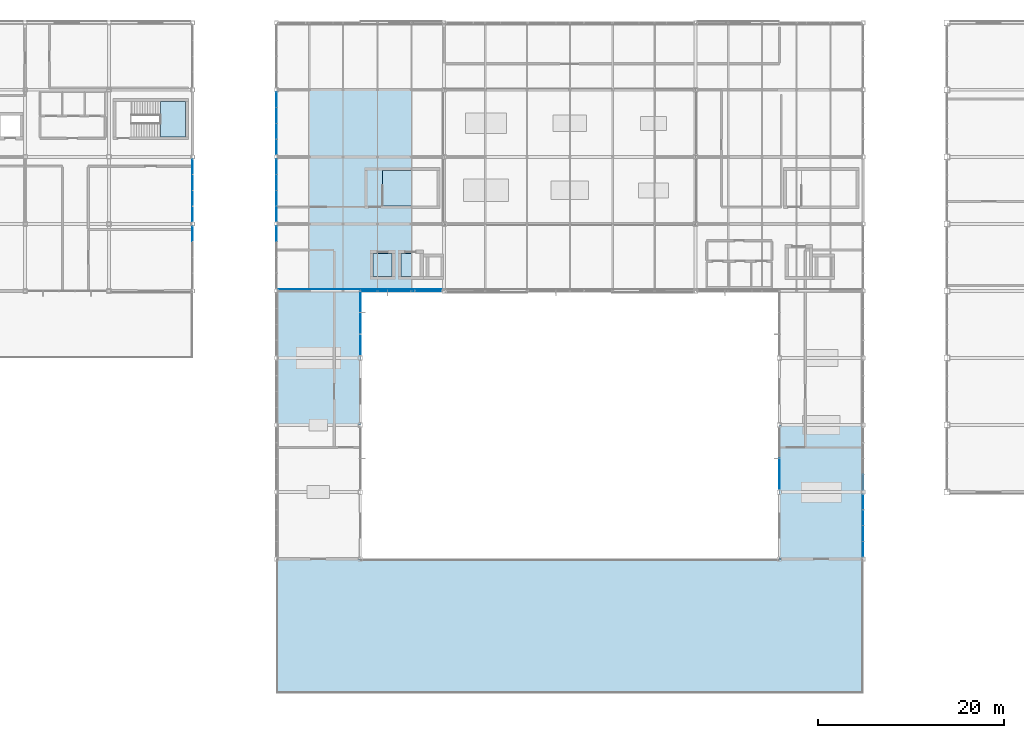
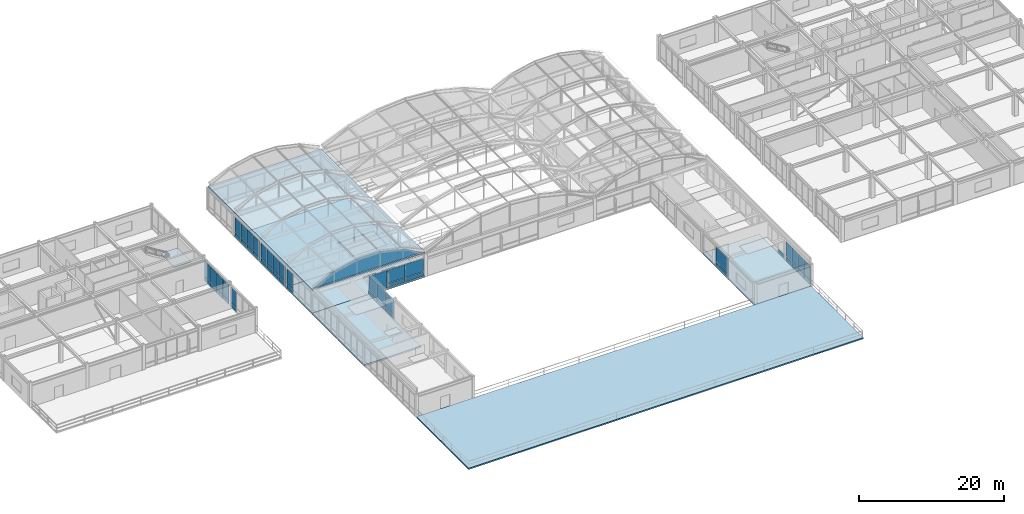
# One storey, part 78 of 106: 52 plates, 7 slabs, 11 elements without a shape of their own.
"""IFC4 building model written with IfcOpenShell, lengths in metres."""

from ifc_helpers import new_model, si_unit, direction, frame, origin, origin_2d, place, context, subcontext, project, spatial, polyline, rectangle, outline, extrude, material, layer, layer_set, type_object, element, aggregate, save


model = new_model("IFC4")

# Units and contexts
model_context = context("Model", 3, precision=1e-05, world=origin(), true_north=direction((0.0, 1.0)))
body_context = subcontext(model_context, "Body", "Model", "MODEL_VIEW")
ifc_project = project(units=[si_unit("LENGTHUNIT", "METRE"), si_unit("AREAUNIT", "SQUARE_METRE"), si_unit("VOLUMEUNIT", "CUBIC_METRE"), si_unit("PLANEANGLEUNIT", "RADIAN"), si_unit("MASSUNIT", "GRAM", prefix="KILO")], contexts=[model_context])

# Site, building, storey
site_placement = place(None, origin())
site = spatial("IfcSite", under=ifc_project, at=site_placement, CompositionType="ELEMENT")
building_placement = place(site_placement, origin())
building = spatial("IfcBuilding", under=site, at=building_placement, Name="Kazanami Central Library", CompositionType="ELEMENT")
storey_placement = place(building_placement, frame((0.0, 0.0, 12.800048828125)))
storey = spatial("IfcBuildingStorey", under=building, at=storey_placement, Name="L04", CompositionType="ELEMENT", Elevation=12.800048828125)

# Plate
ifc_material_1 = material(Name="Acid-Etched Low-E Laminated Glass", Category="glass")
ifc_layer_1 = layer(ifc_material_1, 0.028076171875, Name="Acid-Etched Low-E Laminated Glass")
ifc_layer_set_1 = layer_set([ifc_layer_1], Name="Acid-Etched Low-E Laminated Glass")
plate_type_1 = type_object("IfcPlateType", Name="PLT-BVG-28", PredefinedType="SHEET", material=ifc_layer_set_1)
plate_1_placement = place(storey_placement, frame((45.25, 64.9619140625, 4.0), z_axis=(0.0, -1.0, 0.0), x_axis=(1.0, 0.0, 0.0)))
element("IfcPlate", 1, at=plate_1_placement, inside=storey, type_object=plate_type_1, Name="Glazed Barrel Vault Gable Tympanum VAULT-WEST (South)", PredefinedType="SHEET", context=body_context, shape_type="SweptSolid", body=[
    extrude(outline(polyline([(0.0, 0.0), (17.5, 0.0), (14.172119140625, 1.65380859375), (10.58642578125, 2.449462890625), (6.91357421875, 2.449462890625), (3.327880859375, 1.65380859375), (0.0, 0.0)])), origin(), (0.0, 0.0, -1.0), 0.028076171875),
])

# Curtain wall, plates
curtain_wall_type_1 = type_object("IfcCurtainWallType", Name="CW-8775x3080-M275", PredefinedType="USERDEFINED", material=ifc_material_1)
curtain_wall_1_placement = place(storey_placement, origin())
curtain_wall_1 = element("IfcCurtainWall", 2, at=curtain_wall_1_placement, inside=storey, type_object=curtain_wall_type_1, Name="Unitised Curtain Wall CW-40 L04 S-K-06", ObjectType="UNITISED CURTAIN WALL", PredefinedType="USERDEFINED")
ifc_layer_2 = layer(ifc_material_1, 0.035888671875, Name="Acid-Etched Low-E Laminated Glass")
ifc_layer_set_2 = layer_set([ifc_layer_2], Name="Acid-Etched Low-E Laminated Glass")
plate_type_2 = type_object("IfcPlateType", Name="PLT-CW-P1", PredefinedType="CURTAIN_PANEL", material=ifc_layer_set_2)
plate_2_placement = place(storey_placement, frame((55.47998046875, 64.800048828125, 0.81494140625), z_axis=(0.0, 0.0, 1.0), x_axis=(1.0, 0.0, 0.0)))
plate_2 = element("IfcPlate", 3, at=plate_2_placement, type_object=plate_type_2, Name="CW-40 panel 1.2", PredefinedType="CURTAIN_PANEL", context=body_context, shape_type="SweptSolid", body=[
    extrude(rectangle(XDim=2.820068359375, YDim=0.035888671875, at=origin_2d()), origin(), (0.0, 0.0, 1.0), 2.195068359375),
])
plate_3_placement = place(storey_placement, frame((58.387451171875, 64.800048828125, 0.81494140625), z_axis=(0.0, 0.0, 1.0), x_axis=(1.0, 0.0, 0.0)))
plate_3 = element("IfcPlate", 4, at=plate_3_placement, type_object=plate_type_2, Name="CW-40 panel 2.2", PredefinedType="CURTAIN_PANEL", context=body_context, shape_type="SweptSolid", body=[
    extrude(rectangle(XDim=2.85498046875, YDim=0.035888671875, at=origin_2d()), origin(), (0.0, 0.0, 1.0), 2.195068359375),
])
plate_4_placement = place(storey_placement, frame((61.294921875, 64.800048828125, 0.81494140625), z_axis=(0.0, 0.0, 1.0), x_axis=(1.0, 0.0, 0.0)))
plate_4 = element("IfcPlate", 5, at=plate_4_placement, type_object=plate_type_2, Name="CW-40 panel 3.2", PredefinedType="CURTAIN_PANEL", context=body_context, shape_type="SweptSolid", body=[
    extrude(rectangle(XDim=2.820068359375, YDim=0.035888671875, at=origin_2d()), origin(), (0.0, 0.0, 1.0), 2.195068359375),
])

curtain_wall_type_2 = type_object("IfcCurtainWallType", Name="CW-6975x3330-M275", PredefinedType="USERDEFINED", material=ifc_material_1)
curtain_wall_2_placement = place(storey_placement, origin())
curtain_wall_2 = element("IfcCurtainWall", 6, at=curtain_wall_2_placement, inside=storey, type_object=curtain_wall_type_2, Name="Unitised Curtain Wall CW-46 L04 E-7-08", ObjectType="UNITISED CURTAIN WALL", PredefinedType="USERDEFINED")
plate_5_placement = place(storey_placement, frame((54.0, 63.6201171875, 0.81494140625), z_axis=(0.0, 0.0, 1.0), x_axis=(0.0, -1.0, 0.0)))
plate_5 = element("IfcPlate", 7, at=plate_5_placement, type_object=plate_type_2, Name="CW-46 panel 1.2", PredefinedType="CURTAIN_PANEL", context=body_context, shape_type="SweptSolid", body=[
    extrude(rectangle(XDim=2.219970703125, YDim=0.035888671875, at=origin_2d()), origin(), (0.0, 0.0, 1.0), 2.445068359375),
])
plate_6_placement = place(storey_placement, frame((54.0, 61.3125, 0.81494140625), z_axis=(0.0, 0.0, 1.0), x_axis=(0.0, -1.0, 0.0)))
plate_6 = element("IfcPlate", 8, at=plate_6_placement, type_object=plate_type_2, Name="CW-46 panel 2.2", PredefinedType="CURTAIN_PANEL", context=body_context, shape_type="SweptSolid", body=[
    extrude(rectangle(XDim=2.2548828125, YDim=0.035888671875, at=origin_2d()), origin(), (0.0, 0.0, 1.0), 2.445068359375),
])
plate_7_placement = place(storey_placement, frame((54.0, 59.0048828125, 0.81494140625), z_axis=(0.0, 0.0, 1.0), x_axis=(0.0, -1.0, 0.0)))
plate_7 = element("IfcPlate", 9, at=plate_7_placement, type_object=plate_type_2, Name="CW-46 panel 3.2", PredefinedType="CURTAIN_PANEL", context=body_context, shape_type="SweptSolid", body=[
    extrude(rectangle(XDim=2.219970703125, YDim=0.035888671875, at=origin_2d()), origin(), (0.0, 0.0, 1.0), 2.445068359375),
])

# Curtain wall, plate
curtain_wall_type_3 = type_object("IfcCurtainWallType", Name="CW-6750x3330-M275", PredefinedType="USERDEFINED", material=ifc_material_1)
curtain_wall_3_placement = place(storey_placement, origin())
curtain_wall_3 = element("IfcCurtainWall", 10, at=curtain_wall_3_placement, inside=storey, type_object=curtain_wall_type_3, Name="Unitised Curtain Wall CW-45 L04 W-12-06", ObjectType="UNITISED CURTAIN WALL", PredefinedType="USERDEFINED")
plate_8_placement = place(storey_placement, frame((99.0, 45.1298828125, 0.81494140625), z_axis=(0.0, 0.0, 1.0), x_axis=(0.0, 1.0, 0.0)))
plate_8 = element("IfcPlate", 11, at=plate_8_placement, type_object=plate_type_2, Name="CW-45 panel 1.2", PredefinedType="CURTAIN_PANEL", context=body_context, shape_type="SweptSolid", body=[
    extrude(rectangle(XDim=3.27001953125, YDim=0.035888671875, at=origin_2d()), origin(), (0.0, 0.0, 1.0), 2.445068359375),
])

curtain_wall_type_4 = type_object("IfcCurtainWallType", Name="CW-6800x3490-M180", PredefinedType="USERDEFINED", material=ifc_material_1)
curtain_wall_4_placement = place(storey_placement, origin())
curtain_wall_4 = element("IfcCurtainWall", 12, at=curtain_wall_4_placement, inside=storey, type_object=curtain_wall_type_4, Name="Covered Link Bridge Curtain Wall CW-43 L04 E-5-09", ObjectType="UNITISED CURTAIN WALL", PredefinedType="USERDEFINED")
ifc_material_2 = material(Name="Low-E Insulated Triple Glass", Category="glass")
ifc_layer_3 = layer(ifc_material_2, 0.0400390625, Name="Low-E Insulated Triple Glass")
ifc_layer_set_3 = layer_set([ifc_layer_3], Name="Low-E Insulated Triple Glass")
plate_type_3 = type_object("IfcPlateType", Name="PLT-CW-P3", PredefinedType="CURTAIN_PANEL", material=ifc_layer_set_3)
plate_9_placement = place(storey_placement, frame((36.0, 70.93505859375, 0.809814453125), z_axis=(0.0, 0.0, 1.0), x_axis=(0.0, -1.0, 0.0)))
plate_9 = element("IfcPlate", 13, at=plate_9_placement, type_object=plate_type_3, Name="CW-43 panel 1.2", PredefinedType="CURTAIN_PANEL", context=body_context, shape_type="SweptSolid", body=[
    extrude(rectangle(XDim=1.610107421875, YDim=0.0400390625, at=origin_2d()), origin(), (0.0, 0.0, 1.0), 2.6201171875),
])

# Curtain wall, plates
curtain_wall_5_placement = place(storey_placement, origin())
curtain_wall_5 = element("IfcCurtainWall", 14, at=curtain_wall_5_placement, inside=storey, type_object=curtain_wall_type_4, Name="Covered Link Bridge Curtain Wall CW-43 L04 E-5-10", ObjectType="UNITISED CURTAIN WALL", PredefinedType="USERDEFINED")
plate_10_placement = place(storey_placement, frame((36.0, 78.135009765625, 0.809814453125), z_axis=(0.0, 0.0, 1.0), x_axis=(0.0, -1.0, 0.0)))
plate_10 = element("IfcPlate", 15, at=plate_10_placement, type_object=plate_type_3, Name="CW-43 panel 1.2", PredefinedType="CURTAIN_PANEL", context=body_context, shape_type="SweptSolid", body=[
    extrude(rectangle(XDim=1.610107421875, YDim=0.0400390625, at=origin_2d()), origin(), (0.0, 0.0, 1.0), 2.6201171875),
])
plate_11_placement = place(storey_placement, frame((36.0, 76.449951171875, 0.809814453125), z_axis=(0.0, 0.0, 1.0), x_axis=(0.0, -1.0, 0.0)))
plate_11 = element("IfcPlate", 16, at=plate_11_placement, type_object=plate_type_3, Name="CW-43 panel 2.2", PredefinedType="CURTAIN_PANEL", context=body_context, shape_type="SweptSolid", body=[
    extrude(rectangle(XDim=1.639892578125, YDim=0.0400390625, at=origin_2d()), origin(), (0.0, 0.0, 1.0), 2.6201171875),
])
plate_12_placement = place(storey_placement, frame((36.0, 74.75, 0.809814453125), z_axis=(0.0, 0.0, 1.0), x_axis=(0.0, -1.0, 0.0)))
plate_12 = element("IfcPlate", 17, at=plate_12_placement, type_object=plate_type_3, Name="CW-43 panel 3.2", PredefinedType="CURTAIN_PANEL", context=body_context, shape_type="SweptSolid", body=[
    extrude(rectangle(XDim=1.639892578125, YDim=0.0400390625, at=origin_2d()), origin(), (0.0, 0.0, 1.0), 2.6201171875),
])
plate_13_placement = place(storey_placement, frame((36.0, 73.06494140625, 0.809814453125), z_axis=(0.0, 0.0, 1.0), x_axis=(0.0, -1.0, 0.0)))
plate_13 = element("IfcPlate", 18, at=plate_13_placement, type_object=plate_type_3, Name="CW-43 panel 4.2", PredefinedType="CURTAIN_PANEL", context=body_context, shape_type="SweptSolid", body=[
    extrude(rectangle(XDim=1.610107421875, YDim=0.0400390625, at=origin_2d()), origin(), (0.0, 0.0, 1.0), 2.6201171875),
])

# Curtain wall, plate
curtain_wall_type_5 = type_object("IfcCurtainWallType", Name="CW-6800x3330-M180", PredefinedType="USERDEFINED", material=ifc_material_1)
curtain_wall_6_placement = place(storey_placement, origin())
curtain_wall_6 = element("IfcCurtainWall", 19, at=curtain_wall_6_placement, inside=storey, type_object=curtain_wall_type_5, Name="Covered Link Bridge Curtain Wall CW-44 L04 W-6-09", ObjectType="UNITISED CURTAIN WALL", PredefinedType="USERDEFINED")
plate_14_placement = place(storey_placement, frame((45.0, 70.9326171875, 0.81494140625), z_axis=(0.0, 0.0, 1.0), x_axis=(0.0, 1.0, 0.0)))
plate_14 = element("IfcPlate", 20, at=plate_14_placement, type_object=plate_type_3, Name="CW-44 panel 4.2", PredefinedType="CURTAIN_PANEL", context=body_context, shape_type="SweptSolid", body=[
    extrude(rectangle(XDim=1.594970703125, YDim=0.0400390625, at=origin_2d()), origin(), (0.0, 0.0, 1.0), 2.445068359375),
])

# Curtain wall, plates
curtain_wall_7_placement = place(storey_placement, origin())
curtain_wall_7 = element("IfcCurtainWall", 21, at=curtain_wall_7_placement, inside=storey, type_object=curtain_wall_type_5, Name="Covered Link Bridge Curtain Wall CW-44 L04 W-6-10", ObjectType="UNITISED CURTAIN WALL", PredefinedType="USERDEFINED")
plate_15_placement = place(storey_placement, frame((45.0, 73.0673828125, 0.81494140625), z_axis=(0.0, 0.0, 1.0), x_axis=(0.0, 1.0, 0.0)))
plate_15 = element("IfcPlate", 22, at=plate_15_placement, type_object=plate_type_3, Name="CW-44 panel 1.2", PredefinedType="CURTAIN_PANEL", context=body_context, shape_type="SweptSolid", body=[
    extrude(rectangle(XDim=1.594970703125, YDim=0.0400390625, at=origin_2d()), origin(), (0.0, 0.0, 1.0), 2.445068359375),
])
plate_16_placement = place(storey_placement, frame((45.0, 74.75, 0.81494140625), z_axis=(0.0, 0.0, 1.0), x_axis=(0.0, 1.0, 0.0)))
plate_16 = element("IfcPlate", 23, at=plate_16_placement, type_object=plate_type_3, Name="CW-44 panel 2.2", PredefinedType="CURTAIN_PANEL", context=body_context, shape_type="SweptSolid", body=[
    extrude(rectangle(XDim=1.6298828125, YDim=0.0400390625, at=origin_2d()), origin(), (0.0, 0.0, 1.0), 2.445068359375),
])
plate_17_placement = place(storey_placement, frame((45.0, 76.449951171875, 0.81494140625), z_axis=(0.0, 0.0, 1.0), x_axis=(0.0, 1.0, 0.0)))
plate_17 = element("IfcPlate", 24, at=plate_17_placement, type_object=plate_type_3, Name="CW-44 panel 3.2", PredefinedType="CURTAIN_PANEL", context=body_context, shape_type="SweptSolid", body=[
    extrude(rectangle(XDim=1.6298828125, YDim=0.0400390625, at=origin_2d()), origin(), (0.0, 0.0, 1.0), 2.445068359375),
])
plate_18_placement = place(storey_placement, frame((45.0, 78.132568359375, 0.81494140625), z_axis=(0.0, 0.0, 1.0), x_axis=(0.0, 1.0, 0.0)))
plate_18 = element("IfcPlate", 25, at=plate_18_placement, type_object=plate_type_3, Name="CW-44 panel 4.2", PredefinedType="CURTAIN_PANEL", context=body_context, shape_type="SweptSolid", body=[
    extrude(rectangle(XDim=1.594970703125, YDim=0.0400390625, at=origin_2d()), origin(), (0.0, 0.0, 1.0), 2.445068359375),
])

curtain_wall_8_placement = place(storey_placement, origin())
curtain_wall_8 = element("IfcCurtainWall", 26, at=curtain_wall_8_placement, inside=storey, type_object=curtain_wall_type_5, Name="Covered Link Bridge Curtain Wall CW-44 L04 W-6-11", ObjectType="UNITISED CURTAIN WALL", PredefinedType="USERDEFINED")
plate_19_placement = place(storey_placement, frame((45.0, 80.267578125, 0.81494140625), z_axis=(0.0, 0.0, 1.0), x_axis=(0.0, 1.0, 0.0)))
plate_19 = element("IfcPlate", 27, at=plate_19_placement, type_object=plate_type_3, Name="CW-44 panel 1.2", PredefinedType="CURTAIN_PANEL", context=body_context, shape_type="SweptSolid", body=[
    extrude(rectangle(XDim=1.594970703125, YDim=0.0400390625, at=origin_2d()), origin(), (0.0, 0.0, 1.0), 2.445068359375),
])
plate_20_placement = place(storey_placement, frame((45.0, 81.949951171875, 0.81494140625), z_axis=(0.0, 0.0, 1.0), x_axis=(0.0, 1.0, 0.0)))
plate_20 = element("IfcPlate", 28, at=plate_20_placement, type_object=plate_type_3, Name="CW-44 panel 2.2", PredefinedType="CURTAIN_PANEL", context=body_context, shape_type="SweptSolid", body=[
    extrude(rectangle(XDim=1.6298828125, YDim=0.0400390625, at=origin_2d()), origin(), (0.0, 0.0, 1.0), 2.445068359375),
])
plate_21_placement = place(storey_placement, frame((45.0, 83.64990234375, 0.81494140625), z_axis=(0.0, 0.0, 1.0), x_axis=(0.0, 1.0, 0.0)))
plate_21 = element("IfcPlate", 29, at=plate_21_placement, type_object=plate_type_3, Name="CW-44 panel 3.2", PredefinedType="CURTAIN_PANEL", context=body_context, shape_type="SweptSolid", body=[
    extrude(rectangle(XDim=1.6298828125, YDim=0.0400390625, at=origin_2d()), origin(), (0.0, 0.0, 1.0), 2.445068359375),
])
plate_22_placement = place(storey_placement, frame((45.0, 85.33251953125, 0.81494140625), z_axis=(0.0, 0.0, 1.0), x_axis=(0.0, 1.0, 0.0)))
plate_22 = element("IfcPlate", 30, at=plate_22_placement, type_object=plate_type_3, Name="CW-44 panel 4.2", PredefinedType="CURTAIN_PANEL", context=body_context, shape_type="SweptSolid", body=[
    extrude(rectangle(XDim=1.594970703125, YDim=0.0400390625, at=origin_2d()), origin(), (0.0, 0.0, 1.0), 2.445068359375),
])

curtain_wall_9_placement = place(storey_placement, origin())
curtain_wall_9 = element("IfcCurtainWall", 31, at=curtain_wall_9_placement, inside=storey, type_object=curtain_wall_type_5, Name="Covered Link Bridge Curtain Wall CW-44 L04 E-13-05", ObjectType="UNITISED CURTAIN WALL", PredefinedType="USERDEFINED")
plate_23_placement = place(storey_placement, frame((108.0, 42.132568359375, 0.81494140625), z_axis=(0.0, 0.0, 1.0), x_axis=(0.0, -1.0, 0.0)))
plate_23 = element("IfcPlate", 32, at=plate_23_placement, type_object=plate_type_3, Name="CW-44 panel 1.2", PredefinedType="CURTAIN_PANEL", context=body_context, shape_type="SweptSolid", body=[
    extrude(rectangle(XDim=1.594970703125, YDim=0.0400390625, at=origin_2d()), origin(), (0.0, 0.0, 1.0), 2.445068359375),
])
plate_24_placement = place(storey_placement, frame((108.0, 40.449951171875, 0.81494140625), z_axis=(0.0, 0.0, 1.0), x_axis=(0.0, -1.0, 0.0)))
plate_24 = element("IfcPlate", 33, at=plate_24_placement, type_object=plate_type_3, Name="CW-44 panel 2.2", PredefinedType="CURTAIN_PANEL", context=body_context, shape_type="SweptSolid", body=[
    extrude(rectangle(XDim=1.6298828125, YDim=0.0400390625, at=origin_2d()), origin(), (0.0, 0.0, 1.0), 2.445068359375),
])
plate_25_placement = place(storey_placement, frame((108.0, 38.75, 0.81494140625), z_axis=(0.0, 0.0, 1.0), x_axis=(0.0, -1.0, 0.0)))
plate_25 = element("IfcPlate", 34, at=plate_25_placement, type_object=plate_type_3, Name="CW-44 panel 3.2", PredefinedType="CURTAIN_PANEL", context=body_context, shape_type="SweptSolid", body=[
    extrude(rectangle(XDim=1.6298828125, YDim=0.0400390625, at=origin_2d()), origin(), (0.0, 0.0, 1.0), 2.445068359375),
])
plate_26_placement = place(storey_placement, frame((108.0, 37.0673828125, 0.81494140625), z_axis=(0.0, 0.0, 1.0), x_axis=(0.0, -1.0, 0.0)))
plate_26 = element("IfcPlate", 35, at=plate_26_placement, type_object=plate_type_3, Name="CW-44 panel 4.2", PredefinedType="CURTAIN_PANEL", context=body_context, shape_type="SweptSolid", body=[
    extrude(rectangle(XDim=1.594970703125, YDim=0.0400390625, at=origin_2d()), origin(), (0.0, 0.0, 1.0), 2.445068359375),
])

# Plate
ifc_material_3 = material(Name="Anodised Aluminium A5052-H32", Category="aluminium")
ifc_layer_4 = layer(ifc_material_3, 0.06005859375, Name="Anodised Aluminium A5052-H32")
ifc_layer_set_4 = layer_set([ifc_layer_4], Name="Anodised Aluminium A5052-H32")
plate_type_4 = type_object("IfcPlateType", Name="PLT-CW-SP1", PredefinedType="CURTAIN_PANEL", material=ifc_layer_set_4)
plate_27_placement = place(storey_placement, frame((55.47998046875, 64.800048828125, 0.06982421875), z_axis=(0.0, 0.0, 1.0), x_axis=(1.0, 0.0, 0.0)))
plate_27 = element("IfcPlate", 36, at=plate_27_placement, type_object=plate_type_4, Name="CW-40 panel 1.1", PredefinedType="CURTAIN_PANEL", context=body_context, shape_type="SweptSolid", body=[
    extrude(rectangle(XDim=2.820068359375, YDim=0.06005859375, at=origin_2d()), origin(), (0.0, 0.0, 1.0), 0.675048828125),
])

plate_28_placement = place(storey_placement, frame((58.387451171875, 64.800048828125, 0.06982421875), z_axis=(0.0, 0.0, 1.0), x_axis=(1.0, 0.0, 0.0)))
plate_28 = element("IfcPlate", 37, at=plate_28_placement, type_object=plate_type_4, Name="CW-40 panel 2.1", PredefinedType="CURTAIN_PANEL", context=body_context, shape_type="SweptSolid", body=[
    extrude(rectangle(XDim=2.85498046875, YDim=0.06005859375, at=origin_2d()), origin(), (0.0, 0.0, 1.0), 0.675048828125),
])

plate_29_placement = place(storey_placement, frame((61.294921875, 64.800048828125, 0.06982421875), z_axis=(0.0, 0.0, 1.0), x_axis=(1.0, 0.0, 0.0)))
plate_29 = element("IfcPlate", 38, at=plate_29_placement, type_object=plate_type_4, Name="CW-40 panel 3.1", PredefinedType="CURTAIN_PANEL", context=body_context, shape_type="SweptSolid", body=[
    extrude(rectangle(XDim=2.820068359375, YDim=0.06005859375, at=origin_2d()), origin(), (0.0, 0.0, 1.0), 0.675048828125),
])

aggregate(curtain_wall_1, [plate_27, plate_2, plate_28, plate_3, plate_29, plate_4])

plate_30_placement = place(storey_placement, frame((45.0, 70.9326171875, 0.06982421875), z_axis=(0.0, 0.0, 1.0), x_axis=(0.0, 1.0, 0.0)))
plate_30 = element("IfcPlate", 39, at=plate_30_placement, type_object=plate_type_4, Name="CW-44 panel 4.1", PredefinedType="CURTAIN_PANEL", context=body_context, shape_type="SweptSolid", body=[
    extrude(rectangle(XDim=1.594970703125, YDim=0.06005859375, at=origin_2d()), origin(), (0.0, 0.0, 1.0), 0.675048828125),
])

aggregate(curtain_wall_6, [plate_30, plate_14])

plate_31_placement = place(storey_placement, frame((45.0, 73.0673828125, 0.06982421875), z_axis=(0.0, 0.0, 1.0), x_axis=(0.0, 1.0, 0.0)))
plate_31 = element("IfcPlate", 40, at=plate_31_placement, type_object=plate_type_4, Name="CW-44 panel 1.1", PredefinedType="CURTAIN_PANEL", context=body_context, shape_type="SweptSolid", body=[
    extrude(rectangle(XDim=1.594970703125, YDim=0.06005859375, at=origin_2d()), origin(), (0.0, 0.0, 1.0), 0.675048828125),
])

plate_32_placement = place(storey_placement, frame((45.0, 74.75, 0.06982421875), z_axis=(0.0, 0.0, 1.0), x_axis=(0.0, 1.0, 0.0)))
plate_32 = element("IfcPlate", 41, at=plate_32_placement, type_object=plate_type_4, Name="CW-44 panel 2.1", PredefinedType="CURTAIN_PANEL", context=body_context, shape_type="SweptSolid", body=[
    extrude(rectangle(XDim=1.6298828125, YDim=0.06005859375, at=origin_2d()), origin(), (0.0, 0.0, 1.0), 0.675048828125),
])

plate_33_placement = place(storey_placement, frame((45.0, 76.449951171875, 0.06982421875), z_axis=(0.0, 0.0, 1.0), x_axis=(0.0, 1.0, 0.0)))
plate_33 = element("IfcPlate", 42, at=plate_33_placement, type_object=plate_type_4, Name="CW-44 panel 3.1", PredefinedType="CURTAIN_PANEL", context=body_context, shape_type="SweptSolid", body=[
    extrude(rectangle(XDim=1.6298828125, YDim=0.06005859375, at=origin_2d()), origin(), (0.0, 0.0, 1.0), 0.675048828125),
])

plate_34_placement = place(storey_placement, frame((45.0, 78.132568359375, 0.06982421875), z_axis=(0.0, 0.0, 1.0), x_axis=(0.0, 1.0, 0.0)))
plate_34 = element("IfcPlate", 43, at=plate_34_placement, type_object=plate_type_4, Name="CW-44 panel 4.1", PredefinedType="CURTAIN_PANEL", context=body_context, shape_type="SweptSolid", body=[
    extrude(rectangle(XDim=1.594970703125, YDim=0.06005859375, at=origin_2d()), origin(), (0.0, 0.0, 1.0), 0.675048828125),
])

aggregate(curtain_wall_7, [plate_31, plate_15, plate_32, plate_16, plate_33, plate_17, plate_34, plate_18])

plate_35_placement = place(storey_placement, frame((45.0, 80.267578125, 0.06982421875), z_axis=(0.0, 0.0, 1.0), x_axis=(0.0, 1.0, 0.0)))
plate_35 = element("IfcPlate", 44, at=plate_35_placement, type_object=plate_type_4, Name="CW-44 panel 1.1", PredefinedType="CURTAIN_PANEL", context=body_context, shape_type="SweptSolid", body=[
    extrude(rectangle(XDim=1.594970703125, YDim=0.06005859375, at=origin_2d()), origin(), (0.0, 0.0, 1.0), 0.675048828125),
])

plate_36_placement = place(storey_placement, frame((45.0, 81.949951171875, 0.06982421875), z_axis=(0.0, 0.0, 1.0), x_axis=(0.0, 1.0, 0.0)))
plate_36 = element("IfcPlate", 45, at=plate_36_placement, type_object=plate_type_4, Name="CW-44 panel 2.1", PredefinedType="CURTAIN_PANEL", context=body_context, shape_type="SweptSolid", body=[
    extrude(rectangle(XDim=1.6298828125, YDim=0.06005859375, at=origin_2d()), origin(), (0.0, 0.0, 1.0), 0.675048828125),
])

plate_37_placement = place(storey_placement, frame((45.0, 83.64990234375, 0.06982421875), z_axis=(0.0, 0.0, 1.0), x_axis=(0.0, 1.0, 0.0)))
plate_37 = element("IfcPlate", 46, at=plate_37_placement, type_object=plate_type_4, Name="CW-44 panel 3.1", PredefinedType="CURTAIN_PANEL", context=body_context, shape_type="SweptSolid", body=[
    extrude(rectangle(XDim=1.6298828125, YDim=0.06005859375, at=origin_2d()), origin(), (0.0, 0.0, 1.0), 0.675048828125),
])

plate_38_placement = place(storey_placement, frame((45.0, 85.33251953125, 0.06982421875), z_axis=(0.0, 0.0, 1.0), x_axis=(0.0, 1.0, 0.0)))
plate_38 = element("IfcPlate", 47, at=plate_38_placement, type_object=plate_type_4, Name="CW-44 panel 4.1", PredefinedType="CURTAIN_PANEL", context=body_context, shape_type="SweptSolid", body=[
    extrude(rectangle(XDim=1.594970703125, YDim=0.06005859375, at=origin_2d()), origin(), (0.0, 0.0, 1.0), 0.675048828125),
])

aggregate(curtain_wall_8, [plate_35, plate_19, plate_36, plate_20, plate_37, plate_21, plate_38, plate_22])

plate_39_placement = place(storey_placement, frame((54.0, 63.6201171875, 0.06982421875), z_axis=(0.0, 0.0, 1.0), x_axis=(0.0, -1.0, 0.0)))
plate_39 = element("IfcPlate", 48, at=plate_39_placement, type_object=plate_type_4, Name="CW-46 panel 1.1", PredefinedType="CURTAIN_PANEL", context=body_context, shape_type="SweptSolid", body=[
    extrude(rectangle(XDim=2.219970703125, YDim=0.06005859375, at=origin_2d()), origin(), (0.0, 0.0, 1.0), 0.675048828125),
])

plate_40_placement = place(storey_placement, frame((54.0, 61.3125, 0.06982421875), z_axis=(0.0, 0.0, 1.0), x_axis=(0.0, -1.0, 0.0)))
plate_40 = element("IfcPlate", 49, at=plate_40_placement, type_object=plate_type_4, Name="CW-46 panel 2.1", PredefinedType="CURTAIN_PANEL", context=body_context, shape_type="SweptSolid", body=[
    extrude(rectangle(XDim=2.2548828125, YDim=0.06005859375, at=origin_2d()), origin(), (0.0, 0.0, 1.0), 0.675048828125),
])

plate_41_placement = place(storey_placement, frame((54.0, 59.0048828125, 0.06982421875), z_axis=(0.0, 0.0, 1.0), x_axis=(0.0, -1.0, 0.0)))
plate_41 = element("IfcPlate", 50, at=plate_41_placement, type_object=plate_type_4, Name="CW-46 panel 3.1", PredefinedType="CURTAIN_PANEL", context=body_context, shape_type="SweptSolid", body=[
    extrude(rectangle(XDim=2.219970703125, YDim=0.06005859375, at=origin_2d()), origin(), (0.0, 0.0, 1.0), 0.675048828125),
])

aggregate(curtain_wall_2, [plate_39, plate_5, plate_40, plate_6, plate_41, plate_7])

plate_42_placement = place(storey_placement, frame((99.0, 45.1298828125, 0.06982421875), z_axis=(0.0, 0.0, 1.0), x_axis=(0.0, 1.0, 0.0)))
plate_42 = element("IfcPlate", 51, at=plate_42_placement, type_object=plate_type_4, Name="CW-45 panel 1.1", PredefinedType="CURTAIN_PANEL", context=body_context, shape_type="SweptSolid", body=[
    extrude(rectangle(XDim=3.27001953125, YDim=0.06005859375, at=origin_2d()), origin(), (0.0, 0.0, 1.0), 0.675048828125),
])

aggregate(curtain_wall_3, [plate_42, plate_8])

plate_43_placement = place(storey_placement, frame((108.0, 42.132568359375, 0.06982421875), z_axis=(0.0, 0.0, 1.0), x_axis=(0.0, -1.0, 0.0)))
plate_43 = element("IfcPlate", 52, at=plate_43_placement, type_object=plate_type_4, Name="CW-44 panel 1.1", PredefinedType="CURTAIN_PANEL", context=body_context, shape_type="SweptSolid", body=[
    extrude(rectangle(XDim=1.594970703125, YDim=0.06005859375, at=origin_2d()), origin(), (0.0, 0.0, 1.0), 0.675048828125),
])

plate_44_placement = place(storey_placement, frame((108.0, 40.449951171875, 0.06982421875), z_axis=(0.0, 0.0, 1.0), x_axis=(0.0, -1.0, 0.0)))
plate_44 = element("IfcPlate", 53, at=plate_44_placement, type_object=plate_type_4, Name="CW-44 panel 2.1", PredefinedType="CURTAIN_PANEL", context=body_context, shape_type="SweptSolid", body=[
    extrude(rectangle(XDim=1.6298828125, YDim=0.06005859375, at=origin_2d()), origin(), (0.0, 0.0, 1.0), 0.675048828125),
])

plate_45_placement = place(storey_placement, frame((108.0, 38.75, 0.06982421875), z_axis=(0.0, 0.0, 1.0), x_axis=(0.0, -1.0, 0.0)))
plate_45 = element("IfcPlate", 54, at=plate_45_placement, type_object=plate_type_4, Name="CW-44 panel 3.1", PredefinedType="CURTAIN_PANEL", context=body_context, shape_type="SweptSolid", body=[
    extrude(rectangle(XDim=1.6298828125, YDim=0.06005859375, at=origin_2d()), origin(), (0.0, 0.0, 1.0), 0.675048828125),
])

plate_46_placement = place(storey_placement, frame((108.0, 37.0673828125, 0.06982421875), z_axis=(0.0, 0.0, 1.0), x_axis=(0.0, -1.0, 0.0)))
plate_46 = element("IfcPlate", 55, at=plate_46_placement, type_object=plate_type_4, Name="CW-44 panel 4.1", PredefinedType="CURTAIN_PANEL", context=body_context, shape_type="SweptSolid", body=[
    extrude(rectangle(XDim=1.594970703125, YDim=0.06005859375, at=origin_2d()), origin(), (0.0, 0.0, 1.0), 0.675048828125),
])

aggregate(curtain_wall_9, [plate_43, plate_23, plate_44, plate_24, plate_45, plate_25, plate_46, plate_26])

# Curtain wall, plate
curtain_wall_10_placement = place(storey_placement, origin())
curtain_wall_10 = element("IfcCurtainWall", 56, at=curtain_wall_10_placement, inside=storey, type_object=curtain_wall_type_5, Name="Covered Link Bridge Curtain Wall CW-44 L04 E-13-06", ObjectType="UNITISED CURTAIN WALL", PredefinedType="USERDEFINED")
plate_47_placement = place(storey_placement, frame((108.0, 44.267578125, 0.06982421875), z_axis=(0.0, 0.0, 1.0), x_axis=(0.0, -1.0, 0.0)))
plate_47 = element("IfcPlate", 57, at=plate_47_placement, type_object=plate_type_4, Name="CW-44 panel 4.1", PredefinedType="CURTAIN_PANEL", context=body_context, shape_type="SweptSolid", body=[
    extrude(rectangle(XDim=1.594970703125, YDim=0.06005859375, at=origin_2d()), origin(), (0.0, 0.0, 1.0), 0.675048828125),
])
aggregate(curtain_wall_10, [plate_47])

# Plate
ifc_layer_5 = layer(ifc_material_3, 0.052001953125, Name="Anodised Aluminium A5052-H32")
ifc_layer_set_5 = layer_set([ifc_layer_5], Name="Anodised Aluminium A5052-H32")
plate_type_5 = type_object("IfcPlateType", Name="PLT-CW-SP2", PredefinedType="CURTAIN_PANEL", material=ifc_layer_set_5)
plate_48_placement = place(storey_placement, frame((36.0, 70.93505859375, 0.06005859375), z_axis=(0.0, 0.0, 1.0), x_axis=(0.0, -1.0, 0.0)))
plate_48 = element("IfcPlate", 58, at=plate_48_placement, type_object=plate_type_5, Name="CW-43 panel 1.1", PredefinedType="CURTAIN_PANEL", context=body_context, shape_type="SweptSolid", body=[
    extrude(rectangle(XDim=1.610107421875, YDim=0.052001953125, at=origin_2d()), origin(), (0.0, 0.0, 1.0), 0.68994140625),
])

aggregate(curtain_wall_4, [plate_48, plate_9])

plate_49_placement = place(storey_placement, frame((36.0, 78.135009765625, 0.06005859375), z_axis=(0.0, 0.0, 1.0), x_axis=(0.0, -1.0, 0.0)))
plate_49 = element("IfcPlate", 59, at=plate_49_placement, type_object=plate_type_5, Name="CW-43 panel 1.1", PredefinedType="CURTAIN_PANEL", context=body_context, shape_type="SweptSolid", body=[
    extrude(rectangle(XDim=1.610107421875, YDim=0.052001953125, at=origin_2d()), origin(), (0.0, 0.0, 1.0), 0.68994140625),
])

plate_50_placement = place(storey_placement, frame((36.0, 76.449951171875, 0.06005859375), z_axis=(0.0, 0.0, 1.0), x_axis=(0.0, -1.0, 0.0)))
plate_50 = element("IfcPlate", 60, at=plate_50_placement, type_object=plate_type_5, Name="CW-43 panel 2.1", PredefinedType="CURTAIN_PANEL", context=body_context, shape_type="SweptSolid", body=[
    extrude(rectangle(XDim=1.639892578125, YDim=0.052001953125, at=origin_2d()), origin(), (0.0, 0.0, 1.0), 0.68994140625),
])

plate_51_placement = place(storey_placement, frame((36.0, 74.75, 0.06005859375), z_axis=(0.0, 0.0, 1.0), x_axis=(0.0, -1.0, 0.0)))
plate_51 = element("IfcPlate", 61, at=plate_51_placement, type_object=plate_type_5, Name="CW-43 panel 3.1", PredefinedType="CURTAIN_PANEL", context=body_context, shape_type="SweptSolid", body=[
    extrude(rectangle(XDim=1.639892578125, YDim=0.052001953125, at=origin_2d()), origin(), (0.0, 0.0, 1.0), 0.68994140625),
])

plate_52_placement = place(storey_placement, frame((36.0, 73.06494140625, 0.06005859375), z_axis=(0.0, 0.0, 1.0), x_axis=(0.0, -1.0, 0.0)))
plate_52 = element("IfcPlate", 62, at=plate_52_placement, type_object=plate_type_5, Name="CW-43 panel 4.1", PredefinedType="CURTAIN_PANEL", context=body_context, shape_type="SweptSolid", body=[
    extrude(rectangle(XDim=1.610107421875, YDim=0.052001953125, at=origin_2d()), origin(), (0.0, 0.0, 1.0), 0.68994140625),
])

aggregate(curtain_wall_5, [plate_49, plate_10, plate_50, plate_11, plate_51, plate_12, plate_52, plate_13])

# Slabs
ifc_material_4 = material(Name="Concrete Fc36 (36 MPa)", Category="concrete")
ifc_layer_6 = layer(ifc_material_4, 0.2548828125, Name="Concrete Fc36 (36 MPa)")
ifc_layer_set_6 = layer_set([ifc_layer_6], Name="Concrete Fc36 (36 MPa)")
slab_type_1 = type_object("IfcSlabType", Name="SLB-FLR-255", PredefinedType="FLOOR", material=ifc_layer_set_6)
slab_1_placement = place(storey_placement, frame((0.0, 0.0, -0.255126953125)))
element("IfcSlab", 63, at=slab_1_placement, inside=storey, type_object=slab_type_1, Name="Composite Floor Slab L04 V1-WEST Zone 8", PredefinedType="FLOOR", context=body_context, shape_type="SweptSolid", body=[
    extrude(outline(polyline([(45.0, 50.39990234375), (54.0, 50.39990234375), (54.0, 64.800048828125), (45.0, 64.800048828125), (45.0, 50.39990234375)])), origin(), (0.0, 0.0, 1.0), 0.255126953125),
])
slab_2_placement = place(storey_placement, frame((0.0, 0.0, -0.255126953125)))
element("IfcSlab", 64, at=slab_2_placement, inside=storey, type_object=slab_type_1, Name="Composite Floor Slab L04 V1-EAST Zone 9", PredefinedType="FLOOR", context=body_context, shape_type="SweptSolid", body=[
    extrude(outline(polyline([(99.0, 36.0), (108.0, 36.0), (108.0, 50.39990234375), (99.0, 50.39990234375), (99.0, 36.0)])), origin(), (0.0, 0.0, 1.0), 0.255126953125),
])
slab_3_placement = place(storey_placement, frame((0.0, 0.0, -0.255126953125)))
element("IfcSlab", 65, at=slab_3_placement, inside=storey, type_object=slab_type_1, Name="Composite Floor Slab L04 V1-NORTH Zone 11", PredefinedType="FLOOR", context=body_context, shape_type="SweptSolid", body=[
    extrude(outline(polyline([(45.0, 64.800048828125), (63.0, 64.800048828125), (63.0, 72.0), (45.0, 72.0), (45.0, 64.800048828125)]), holes=[polyline([(55.375, 66.375), (57.425048828125, 66.375), (57.425048828125, 68.824951171875), (55.375, 68.824951171875), (55.375, 66.375)]), polyline([(58.375, 66.375), (60.425048828125, 66.375), (60.425048828125, 68.824951171875), (58.375, 68.824951171875), (58.375, 66.375)]), polyline([(61.35009765625, 66.35009765625), (62.64990234375, 66.35009765625), (62.64990234375, 68.449951171875), (61.35009765625, 68.449951171875), (61.35009765625, 66.35009765625)])]), origin(), (0.0, 0.0, 1.0), 0.255126953125),
])
slab_4_placement = place(storey_placement, frame((0.0, 0.0, -0.255126953125)))
element("IfcSlab", 66, at=slab_4_placement, inside=storey, type_object=slab_type_1, Name="Composite Floor Slab L04 V1-NORTH Zone 12", PredefinedType="FLOOR", context=body_context, shape_type="SweptSolid", body=[
    extrude(outline(polyline([(45.0, 72.0), (63.0, 72.0), (63.0, 86.39990234375), (45.0, 86.39990234375), (45.0, 72.0)]), holes=[polyline([(56.39990234375, 73.949951171875), (62.25, 73.949951171875), (62.25, 77.75), (56.39990234375, 77.75), (56.39990234375, 73.949951171875)])]), origin(), (0.0, 0.0, 1.0), 0.255126953125),
])

# Stair, slab
stair_type = type_object("IfcStairType", Name="STR-T42", PredefinedType="HALF_TURN_STAIR", material=ifc_material_4)
stair_placement = place(storey_placement, origin())
stair = element("IfcStair", 67, at=stair_placement, inside=storey, type_object=stair_type, Name="Enclosed Escape Stair ST-06 (L04)", PredefinedType="HALF_TURN_STAIR")
ifc_layer_7 = layer(ifc_material_4, 0.179931640625, Name="Concrete Fc36 (36 MPa)")
ifc_layer_set_7 = layer_set([ifc_layer_7], Name="Concrete Fc36 (36 MPa)")
slab_type_2 = type_object("IfcSlabType", Name="SLB-LND-180", PredefinedType="LANDING", material=ifc_layer_set_7)
slab_5_placement = place(storey_placement, frame((0.0, 0.0, 1.919921875)))
slab_5 = element("IfcSlab", 68, at=slab_5_placement, type_object=slab_type_2, Name="ST-06 landing 1", PredefinedType="LANDING", context=body_context, shape_type="SweptSolid", body=[
    extrude(outline(polyline([(32.548095703125, 81.35009765625), (35.25, 81.35009765625), (35.25, 85.14990234375), (32.548095703125, 85.14990234375), (32.548095703125, 81.35009765625)])), origin(), (0.0, 0.0, 1.0), 0.179931640625),
])
aggregate(stair, [slab_5])

# Slabs
ifc_layer_8 = layer(ifc_material_4, 0.219970703125, Name="Concrete Fc36 (36 MPa)")
ifc_layer_set_8 = layer_set([ifc_layer_8], Name="Concrete Fc36 (36 MPa)")
slab_type_3 = type_object("IfcSlabType", Name="SLB-ROOF-220", PredefinedType="ROOF", material=ifc_layer_set_8)
slab_6_placement = place(storey_placement, frame((0.0, 0.0, 3.780029296875)))
element("IfcSlab", 69, at=slab_6_placement, inside=storey, type_object=slab_type_3, Name="Structural Roof Slab ROOF-L04-V1N-W", PredefinedType="ROOF", context=body_context, shape_type="SweptSolid", body=[
    extrude(outline(polyline([(45.0, 64.800048828125), (63.0, 64.800048828125), (63.0, 93.60009765625), (45.0, 93.60009765625), (45.0, 64.800048828125)])), origin(), (0.0, 0.0, 1.0), 0.219970703125),
])
ifc_layer_9 = layer(ifc_material_4, 0.219970703125, Name="Concrete Fc36 (36 MPa)")
ifc_layer_set_9 = layer_set([ifc_layer_9], Name="Concrete Fc36 (36 MPa)")
slab_type_4 = type_object("IfcSlabType", Name="SLB-TER-220", PredefinedType="FLOOR", material=ifc_layer_set_9)
slab_7_placement = place(storey_placement, frame((0.0, 0.0, -0.219970703125)))
element("IfcSlab", 70, at=slab_7_placement, inside=storey, type_object=slab_type_4, Name="Public Canal Roof Reading Terrace L04", PredefinedType="FLOOR", context=body_context, shape_type="SweptSolid", body=[
    extrude(outline(polyline([(45.0, 21.60009765625), (108.0, 21.60009765625), (108.0, 36.0), (45.0, 36.0), (45.0, 21.60009765625)])), origin(), (0.0, 0.0, 1.0), 0.219970703125),
])

save(model, "model.ifc")
